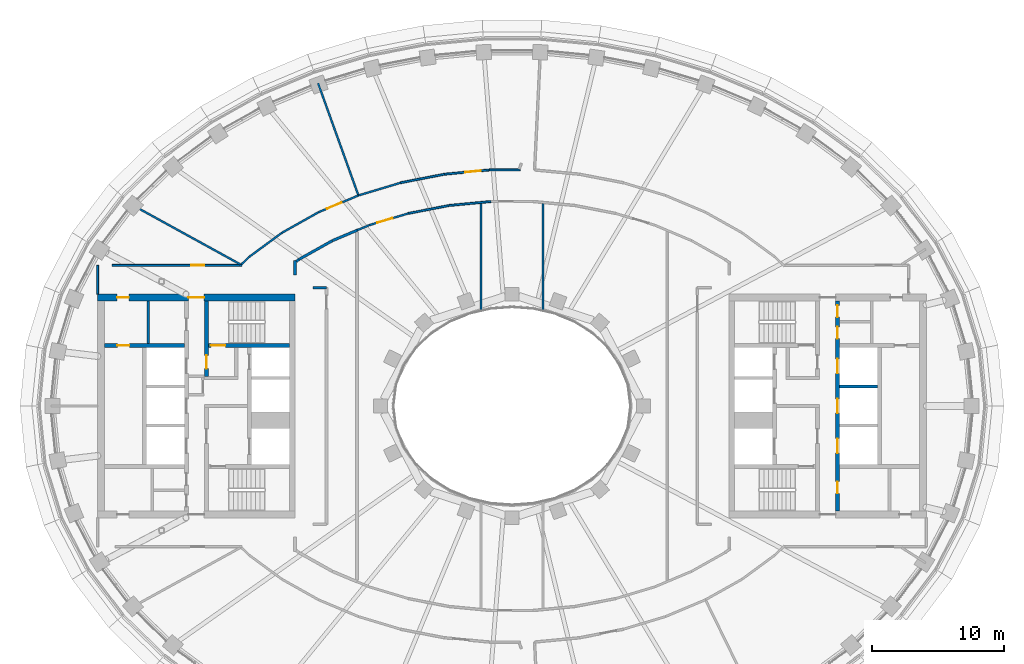
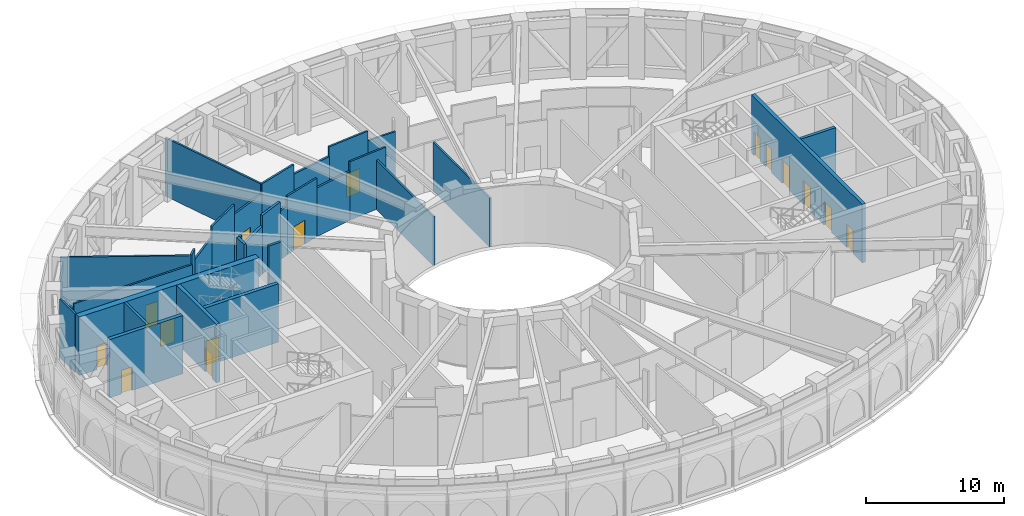
# One storey, part 8 of 25: 30 walls, 15 doors, 15 openings.
"""IFC4 building model written with IfcOpenShell, lengths in metres."""

from ifc_helpers import new_model, si_unit, direction, frame, frame_2d, origin, place, context, subcontext, project, spatial, rectangle, extrude, material, layer, layer_set, type_object, element, fill, save


model = new_model("IFC4")

# Units and contexts
model_context = context("Model", 3, precision=1e-05, world=origin(), true_north=direction((0.0, 1.0)))
body_context = subcontext(model_context, "Body", "Model", "MODEL_VIEW")
ifc_project = project(units=[si_unit("LENGTHUNIT", "METRE"), si_unit("AREAUNIT", "SQUARE_METRE"), si_unit("VOLUMEUNIT", "CUBIC_METRE"), si_unit("PLANEANGLEUNIT", "RADIAN"), si_unit("MASSUNIT", "GRAM", prefix="KILO")], contexts=[model_context])

# Site, building, storey
site_placement = place(None, origin())
site = spatial("IfcSite", under=ifc_project, at=site_placement, CompositionType="ELEMENT")
building_placement = place(site_placement, origin())
building = spatial("IfcBuilding", under=site, at=building_placement, Name="Noorbagh Ring Tower", CompositionType="ELEMENT")
storey_placement = place(building_placement, frame((0.0, 0.0, 198.0)))
storey = spatial("IfcBuildingStorey", under=building, at=storey_placement, Name="L46", CompositionType="ELEMENT", Elevation=198.0)

# Wall
ifc_material_1 = material(Name="Gypsum board on steel studs", Category="steel")
ifc_layer_1 = layer(ifc_material_1, 0.14990234375)
ifc_layer_set_1 = layer_set([ifc_layer_1], Name="Gypsum board on steel studs")
wall_type_1 = type_object("IfcWallType", Name="COMPARTMENT PARTITION 150 EI 60", PredefinedType="PARTITIONING", material=ifc_layer_set_1)
wall_1_placement = place(storey_placement, frame((-31.5, 8.5, 0.0), z_axis=(0.0, 0.0, 1.0), x_axis=(0.0, 1.0, 0.0)))
element("IfcWall", 1, at=wall_1_placement, inside=storey, type_object=wall_type_1, Name="L46/wall/P04", PredefinedType="PARTITIONING", context=body_context, shape_type="SweptSolid", body=[
    extrude(rectangle(XDim=2.199951171875, YDim=0.14990234375, at=frame_2d((1.10009765625, 0.0))), origin(), (0.0, 0.0, 1.0), 5.14990234375),
])

# Wall, opening, door
wall_2_placement = place(storey_placement, frame((-30.39697265625, 10.699951171875, 0.0), z_axis=(0.0, 0.0, 1.0), x_axis=(1.0, 0.0, 0.0)))
wall_2 = element("IfcWall", 2, at=wall_2_placement, inside=storey, type_object=wall_type_1, Name="L46/wall/P05", PredefinedType="PARTITIONING", context=body_context, shape_type="SweptSolid", body=[
    extrude(rectangle(XDim=9.866943359375, YDim=0.14990234375, at=frame_2d((4.93359375, 0.0))), origin(), (0.0, 0.0, 1.0), 4.35009765625),
])
opening_1_placement = place(wall_2_placement, frame((5.9970703125, 0.0, 0.0)))
opening_1 = element("IfcOpeningElement", 3, at=opening_1_placement, cuts=wall_2, Name="Opening D6", PredefinedType="OPENING", context=body_context, shape_type="SweptSolid", body=[
    extrude(rectangle(XDim=1.0, YDim=2.10009765625, at=frame_2d((0.5, 1.050048828125))), frame((0.0, 0.0849609375, 0.0), z_axis=(0.0, -1.0, 0.0), x_axis=(1.0, 0.0, 0.0)), (0.0, 0.0, 1.0), 0.169921875),
])
ifc_material_2 = material(Name="Timber, painted", Category="wood")
door_type_1 = type_object("IfcDoorType", Name="DOOR 1000 X 2100 FD60", OperationType="SINGLE_SWING_LEFT", PredefinedType="DOOR", material=ifc_material_2)
door_1_placement = place(opening_1_placement, origin())
door_1 = element("IfcDoor", 4, at=door_1_placement, inside=storey, type_object=door_type_1, Name="L46-D02", OperationType="SINGLE_SWING_LEFT", OverallHeight=2.10009765625, OverallWidth=1.0, PredefinedType="DOOR", context=body_context, shape_type="SweptSolid", body=[
    extrude(rectangle(XDim=1.0, YDim=2.10009765625, at=frame_2d((0.5, 1.050048828125))), frame((0.0, 0.02490234375, 0.0), z_axis=(0.0, -1.0, 0.0), x_axis=(1.0, 0.0, 0.0)), (0.0, 0.0, 1.0), 0.050048828125),
])
fill(opening_1, door_1)

# Walls
wall_3_placement = place(storey_placement, frame((-28.89306640625, 15.297119140625, 0.0), z_axis=(0.0, 0.0, 1.0), x_axis=(0.876381760949, -0.481617077227, 0.0)))
element("IfcWall", 5, at=wall_3_placement, inside=storey, type_object=wall_type_1, Name="L46/wall/P07", PredefinedType="PARTITIONING", context=body_context, shape_type="SweptSolid", body=[
    extrude(rectangle(XDim=9.383056640625, YDim=0.14990234375, at=frame_2d((4.69140625, 0.0))), origin(), (0.0, 0.0, 1.0), 5.14990234375),
])
wall_4_placement = place(storey_placement, frame((-20.56103515625, 10.77490234375, 0.0), z_axis=(0.0, 0.0, 1.0), x_axis=(0.717045449997, 0.697026414591, 0.0)))
element("IfcWall", 6, at=wall_4_placement, inside=storey, type_object=wall_type_1, Name="L46/wall/P09", PredefinedType="PARTITIONING", context=body_context, shape_type="SweptSolid", body=[
    extrude(rectangle(XDim=0.804931640625, YDim=0.14990234375, at=frame_2d((0.40234375, 0.0))), origin(), (0.0, 0.0, 1.0), 5.14990234375),
])
wall_5_placement = place(storey_placement, frame((-19.98388671875, 11.3359375, 0.0), z_axis=(0.0, 0.0, 1.0), x_axis=(0.805191029373, 0.593015519373, 0.0)))
element("IfcWall", 7, at=wall_5_placement, inside=storey, type_object=wall_type_1, Name="L46/wall/P11", PredefinedType="PARTITIONING", context=body_context, shape_type="SweptSolid", body=[
    extrude(rectangle(XDim=3.0859375, YDim=0.14990234375, at=frame_2d((1.54296875, 0.0))), origin(), (0.0, 0.0, 1.0), 4.199951171875),
])
wall_6_placement = place(storey_placement, frame((-17.4990234375, 13.166015625, 0.0), z_axis=(0.0, 0.0, 1.0), x_axis=(0.872039782413, 0.489434998635, 0.0)))
element("IfcWall", 8, at=wall_6_placement, inside=storey, type_object=wall_type_1, Name="L46/wall/P13", PredefinedType="PARTITIONING", context=body_context, shape_type="SweptSolid", body=[
    extrude(rectangle(XDim=3.199462890625, YDim=0.14990234375, at=frame_2d((1.599609375, 0.0))), origin(), (0.0, 0.0, 1.0), 5.14990234375),
])
wall_7_placement = place(storey_placement, frame((-14.742919921875, 24.534912109375, 0.0), z_axis=(0.0, 0.0, 1.0), x_axis=(0.338360587152, -0.941016531769, 0.0)))
element("IfcWall", 9, at=wall_7_placement, inside=storey, type_object=wall_type_1, Name="L46/wall/P22", PredefinedType="PARTITIONING", context=body_context, shape_type="SweptSolid", body=[
    extrude(rectangle(XDim=9.05810546875, YDim=0.14990234375, at=frame_2d((4.529052734375, 0.0))), origin(), (0.0, 0.0, 1.0), 5.14990234375),
])

# Wall, opening, door
wall_8_placement = place(storey_placement, frame((-14.708984375, 14.73193359375, 0.0), z_axis=(0.0, 0.0, 1.0), x_axis=(0.921846082319, 0.387556190137, 0.0)))
wall_8 = element("IfcWall", 10, at=wall_8_placement, inside=storey, type_object=wall_type_1, Name="L46/wall/P24", PredefinedType="PARTITIONING", context=body_context, shape_type="SweptSolid", body=[
    extrude(rectangle(XDim=3.26953125, YDim=0.14990234375, at=frame_2d((1.634765625, 0.0))), origin(), (0.0, 0.0, 1.0), 4.300048828125),
])
opening_2_placement = place(wall_8_placement, frame((0.689208984375, 0.0, 0.0)))
opening_2 = element("IfcOpeningElement", 11, at=opening_2_placement, cuts=wall_8, Name="Opening D7", PredefinedType="OPENING", context=body_context, shape_type="SweptSolid", body=[
    extrude(rectangle(XDim=1.199951171875, YDim=2.10009765625, at=frame_2d((0.60009765625, 1.050048828125))), frame((0.0, 0.0849609375, 0.0), z_axis=(0.0, -1.0, 0.0), x_axis=(1.0, 0.0, 0.0)), (0.0, 0.0, 1.0), 0.169921875),
])
ifc_material_3 = material(Name="Timber, painted", Category="wood")
door_type_2 = type_object("IfcDoorType", Name="DOOR 1200 X 2100 FD60", OperationType="SINGLE_SWING_LEFT", PredefinedType="DOOR", material=ifc_material_3)
door_2_placement = place(opening_2_placement, origin())
door_2 = element("IfcDoor", 12, at=door_2_placement, inside=storey, type_object=door_type_2, Name="L46-D04", OperationType="SINGLE_SWING_RIGHT", OverallHeight=2.10009765625, OverallWidth=1.199951171875, PredefinedType="DOOR", context=body_context, shape_type="SweptSolid", body=[
    extrude(rectangle(XDim=1.199951171875, YDim=2.10009765625, at=frame_2d((0.60009765625, 1.050048828125))), frame((0.0, 0.02490234375, 0.0), z_axis=(0.0, -1.0, 0.0), x_axis=(1.0, 0.0, 0.0)), (0.0, 0.0, 1.0), 0.050048828125),
])
fill(opening_2, door_2)

# Walls
wall_9_placement = place(storey_placement, frame((-11.76806640625, 13.364990234375, 0.0), z_axis=(0.0, 0.0, 1.0), x_axis=(0.921827385825, 0.387600658852, 0.0)))
element("IfcWall", 13, at=wall_9_placement, inside=storey, type_object=wall_type_1, Name="L46/wall/P30", PredefinedType="PARTITIONING", context=body_context, shape_type="SweptSolid", body=[
    extrude(rectangle(XDim=0.980712890625, YDim=0.14990234375, at=frame_2d((0.490234375, 0.0))), origin(), (0.0, 0.0, 1.0), 4.300048828125),
])
wall_10_placement = place(storey_placement, frame((-11.677001953125, 16.007080078125, 0.0), z_axis=(0.0, 0.0, 1.0), x_axis=(0.957565546192, 0.28821558727, 0.0)))
element("IfcWall", 14, at=wall_10_placement, inside=storey, type_object=wall_type_1, Name="L46/wall/P32", PredefinedType="PARTITIONING", context=body_context, shape_type="SweptSolid", body=[
    extrude(rectangle(XDim=3.355224609375, YDim=0.14990234375, at=frame_2d((1.677734375, 0.0))), origin(), (0.0, 0.0, 1.0), 5.14990234375),
])

# Wall, opening, door
wall_11_placement = place(storey_placement, frame((-10.864013671875, 13.7451171875, 0.0), z_axis=(0.0, 0.0, 1.0), x_axis=(0.957544770641, 0.28828460281, 0.0)))
wall_11 = element("IfcWall", 15, at=wall_11_placement, inside=storey, type_object=wall_type_1, Name="L46/wall/P34", PredefinedType="PARTITIONING", context=body_context, shape_type="SweptSolid", body=[
    extrude(rectangle(XDim=3.10791015625, YDim=0.14990234375, at=frame_2d((1.553955078125, 0.0))), origin(), (0.0, 0.0, 1.0), 5.14990234375),
])
opening_3_placement = place(wall_11_placement, frame((0.64990234375, 0.0, 0.0)))
opening_3 = element("IfcOpeningElement", 16, at=opening_3_placement, cuts=wall_11, Name="Opening D7", PredefinedType="OPENING", context=body_context, shape_type="SweptSolid", body=[
    extrude(rectangle(XDim=1.199951171875, YDim=2.10009765625, at=frame_2d((0.60009765625, 1.050048828125))), frame((0.0, 0.0849609375, 0.0), z_axis=(0.0, -1.0, 0.0), x_axis=(1.0, 0.0, 0.0)), (0.0, 0.0, 1.0), 0.169921875),
])
door_3_placement = place(opening_3_placement, origin())
door_3 = element("IfcDoor", 17, at=door_3_placement, inside=storey, type_object=door_type_2, Name="L46-D11", OperationType="SINGLE_SWING_LEFT", OverallHeight=2.10009765625, OverallWidth=1.199951171875, PredefinedType="DOOR", context=body_context, shape_type="SweptSolid", body=[
    extrude(rectangle(XDim=1.199951171875, YDim=2.10009765625, at=frame_2d((0.60009765625, 1.050048828125))), frame((0.0, 0.02490234375, 0.0), z_axis=(0.0, -1.0, 0.0), x_axis=(1.0, 0.0, 0.0)), (0.0, 0.0, 1.0), 0.050048828125),
])
fill(opening_3, door_3)

# Walls
wall_12_placement = place(storey_placement, frame((-8.464111328125, 16.97412109375, 0.0), z_axis=(0.0, 0.0, 1.0), x_axis=(0.981613520879, 0.190879269771, 0.0)))
element("IfcWall", 18, at=wall_12_placement, inside=storey, type_object=wall_type_1, Name="L46/wall/P36", PredefinedType="PARTITIONING", context=body_context, shape_type="SweptSolid", body=[
    extrude(rectangle(XDim=3.399658203125, YDim=0.14990234375, at=frame_2d((1.69970703125, 0.0))), origin(), (0.0, 0.0, 1.0), 4.300048828125),
])
wall_13_placement = place(storey_placement, frame((-7.887939453125, 14.64111328125, 0.0), z_axis=(0.0, 0.0, 1.0), x_axis=(0.981672390077, 0.190576280162, 0.0)))
element("IfcWall", 19, at=wall_13_placement, inside=storey, type_object=wall_type_1, Name="L46/wall/P38", PredefinedType="PARTITIONING", context=body_context, shape_type="SweptSolid", body=[
    extrude(rectangle(XDim=3.162841796875, YDim=0.14990234375, at=frame_2d((1.58154296875, 0.0))), origin(), (0.0, 0.0, 1.0), 4.300048828125),
])

# Wall, opening, door
wall_14_placement = place(storey_placement, frame((-5.126953125, 17.623046875, 0.0), z_axis=(0.0, 0.0, 1.0), x_axis=(0.995490025265, 0.094866272186, 0.0)))
wall_14 = element("IfcWall", 20, at=wall_14_placement, inside=storey, type_object=wall_type_1, Name="L46/wall/P40", PredefinedType="PARTITIONING", context=body_context, shape_type="SweptSolid", body=[
    extrude(rectangle(XDim=3.42529296875, YDim=0.14990234375, at=frame_2d((1.712646484375, 0.0))), origin(), (0.0, 0.0, 1.0), 5.14990234375),
])
opening_4_placement = place(wall_14_placement, frame((1.575439453125, 0.0, 0.0)))
opening_4 = element("IfcOpeningElement", 21, at=opening_4_placement, cuts=wall_14, Name="Opening D7", PredefinedType="OPENING", context=body_context, shape_type="SweptSolid", body=[
    extrude(rectangle(XDim=1.199951171875, YDim=2.10009765625, at=frame_2d((0.60009765625, 1.050048828125))), frame((0.0, 0.0849609375, 0.0), z_axis=(0.0, -1.0, 0.0), x_axis=(1.0, 0.0, 0.0)), (0.0, 0.0, 1.0), 0.169921875),
])
door_4_placement = place(opening_4_placement, origin())
door_4 = element("IfcDoor", 22, at=door_4_placement, inside=storey, type_object=door_type_2, Name="L46-D05", OperationType="SINGLE_SWING_LEFT", OverallHeight=2.10009765625, OverallWidth=1.199951171875, PredefinedType="DOOR", context=body_context, shape_type="SweptSolid", body=[
    extrude(rectangle(XDim=1.199951171875, YDim=2.10009765625, at=frame_2d((0.60009765625, 1.050048828125))), frame((0.0, 0.02490234375, 0.0), z_axis=(0.0, -1.0, 0.0), x_axis=(1.0, 0.0, 0.0)), (0.0, 0.0, 1.0), 0.050048828125),
])
fill(opening_4, door_4)

# Walls
wall_15_placement = place(storey_placement, frame((-4.782958984375, 15.243896484375, 0.0), z_axis=(0.0, 0.0, 1.0), x_axis=(0.995455539839, 0.095227455097, 0.0)))
element("IfcWall", 23, at=wall_15_placement, inside=storey, type_object=wall_type_1, Name="L46/wall/P42", PredefinedType="PARTITIONING", context=body_context, shape_type="SweptSolid", body=[
    extrude(rectangle(XDim=3.1943359375, YDim=0.14990234375, at=frame_2d((1.59716796875, 0.0))), origin(), (0.0, 0.0, 1.0), 5.14990234375),
])
wall_16_placement = place(storey_placement, frame((-2.35693359375, 7.2099609375, 0.0), z_axis=(0.0, 0.0, 1.0), x_axis=(0.0, 1.0, 0.0)))
element("IfcWall", 24, at=wall_16_placement, inside=storey, type_object=wall_type_1, Name="L46/wall/P44", PredefinedType="PARTITIONING", context=body_context, shape_type="SweptSolid", body=[
    extrude(rectangle(XDim=8.18701171875, YDim=0.14990234375, at=frame_2d((4.093505859375, 0.0))), origin(), (0.0, 0.0, 1.0), 4.35009765625),
])
wall_17_placement = place(storey_placement, frame((-1.717041015625, 17.947998046875, 0.0), z_axis=(0.0, 0.0, 1.0), x_axis=(1.0, 0.0, 0.0)))
element("IfcWall", 25, at=wall_17_placement, inside=storey, type_object=wall_type_1, Name="L46/wall/P46", PredefinedType="PARTITIONING", context=body_context, shape_type="SweptSolid", body=[
    extrude(rectangle(XDim=2.330078125, YDim=0.14990234375, at=frame_2d((1.1650390625, 0.0))), origin(), (0.0, 0.0, 1.0), 4.300048828125),
])
wall_18_placement = place(storey_placement, frame((2.35693359375, 7.2099609375, 0.0), z_axis=(0.0, 0.0, 1.0), x_axis=(0.0, 1.0, 0.0)))
element("IfcWall", 26, at=wall_18_placement, inside=storey, type_object=wall_type_1, Name="L46/wall/P58", PredefinedType="PARTITIONING", context=body_context, shape_type="SweptSolid", body=[
    extrude(rectangle(XDim=8.18701171875, YDim=0.14990234375, at=frame_2d((4.093505859375, 0.0))), origin(), (0.0, 0.0, 1.0), 4.300048828125),
])
ifc_material_4 = material(Name="Gypsum board on steel studs", Category="steel")
ifc_layer_2 = layer(ifc_material_4, 0.199951171875)
ifc_layer_set_2 = layer_set([ifc_layer_2], Name="Gypsum board on steel studs")
wall_type_2 = type_object("IfcWallType", Name="CORE-PARTITION-200", PredefinedType="PARTITIONING", material=ifc_layer_set_2)
wall_19_placement = place(storey_placement, frame((-27.64990234375, 4.75, 0.0), z_axis=(0.0, 0.0, 1.0), x_axis=(0.0, 1.0, 0.0)))
element("IfcWall", 27, at=wall_19_placement, inside=storey, type_object=wall_type_2, Name="Core partition W", PredefinedType="PARTITIONING", context=body_context, shape_type="SweptSolid", body=[
    extrude(rectangle(XDim=3.25, YDim=0.199951171875, at=frame_2d((1.625, 0.0))), origin(), (0.0, 0.0, 1.0), 5.14990234375),
])
ifc_material_5 = material(Name="Concrete C60/75", Category="concrete")
ifc_layer_3 = layer(ifc_material_5, 0.25)
ifc_layer_set_3 = layer_set([ifc_layer_3], Name="Concrete C60/75")
wall_type_3 = type_object("IfcWallType", Name="CORE-WALL-250-C60-75-EI120", PredefinedType="SHEAR", material=ifc_layer_set_3)
wall_20_placement = place(storey_placement, frame((24.89990234375, 1.47509765625, 0.0), z_axis=(0.0, 0.0, 1.0), x_axis=(1.0, 0.0, 0.0)))
element("IfcWall", 28, at=wall_20_placement, inside=storey, type_object=wall_type_3, Name="Core wall E", PredefinedType="SHEAR", context=body_context, shape_type="SweptSolid", body=[
    extrude(rectangle(XDim=2.900146484375, YDim=0.25, at=frame_2d((1.4501953125, 0.0))), origin(), (0.0, 0.0, 1.0), 5.14990234375),
])

# Wall, openings, doors
ifc_material_6 = material(Name="Concrete C60/75", Category="concrete")
ifc_layer_4 = layer(ifc_material_6, 0.300048828125)
ifc_layer_set_4 = layer_set([ifc_layer_4], Name="Concrete C60/75")
wall_type_4 = type_object("IfcWallType", Name="CORE-WALL-300-C60-75-EI120", PredefinedType="SHEAR", material=ifc_layer_set_4)
wall_21_placement = place(storey_placement, frame((24.75, -8.0, 0.0), z_axis=(0.0, 0.0, 1.0), x_axis=(0.0, 1.0, 0.0)))
wall_21 = element("IfcWall", 29, at=wall_21_placement, inside=storey, type_object=wall_type_4, Name="Core wall E", PredefinedType="SHEAR", context=body_context, shape_type="SweptSolid", body=[
    extrude(rectangle(XDim=16.0, YDim=0.300048828125, at=frame_2d((8.0, 0.0))), origin(), (0.0, 0.0, 1.0), 5.14990234375),
])
opening_5_placement = place(wall_21_placement, frame((4.425048828125, 0.0, 0.0)))
opening_5 = element("IfcOpeningElement", 30, at=opening_5_placement, cuts=wall_21, Name="Opening L46-CE04", PredefinedType="OPENING", context=body_context, shape_type="SweptSolid", body=[
    extrude(rectangle(XDim=1.10009765625, YDim=2.10009765625, at=frame_2d((0.550048828125, 1.050048828125))), frame((0.0, 0.16015625, 0.0), z_axis=(0.0, -1.0, 0.0), x_axis=(1.0, 0.0, 0.0)), (0.0, 0.0, 1.0), 0.320068359375),
])
opening_6_placement = place(wall_21_placement, frame((7.449951171875, 0.0, 0.0)))
opening_6 = element("IfcOpeningElement", 31, at=opening_6_placement, cuts=wall_21, Name="Opening L46-CE05", PredefinedType="OPENING", context=body_context, shape_type="SweptSolid", body=[
    extrude(rectangle(XDim=1.10009765625, YDim=2.10009765625, at=frame_2d((0.550048828125, 1.050048828125))), frame((0.0, 0.16015625, 0.0), z_axis=(0.0, -1.0, 0.0), x_axis=(1.0, 0.0, 0.0)), (0.0, 0.0, 1.0), 0.320068359375),
])
opening_7_placement = place(wall_21_placement, frame((10.47509765625, 0.0, 0.0)))
opening_7 = element("IfcOpeningElement", 32, at=opening_7_placement, cuts=wall_21, Name="Opening L46-CE06", PredefinedType="OPENING", context=body_context, shape_type="SweptSolid", body=[
    extrude(rectangle(XDim=1.10009765625, YDim=2.10009765625, at=frame_2d((0.550048828125, 1.050048828125))), frame((0.0, 0.16015625, 0.0), z_axis=(0.0, -1.0, 0.0), x_axis=(1.0, 0.0, 0.0)), (0.0, 0.0, 1.0), 0.320068359375),
])
opening_8_placement = place(wall_21_placement, frame((13.125, 0.0, 0.0)))
opening_8 = element("IfcOpeningElement", 33, at=opening_8_placement, cuts=wall_21, Name="Opening L46-CE13", PredefinedType="OPENING", context=body_context, shape_type="SweptSolid", body=[
    extrude(rectangle(XDim=0.89990234375, YDim=2.10009765625, at=frame_2d((0.449951171875, 1.050048828125))), frame((0.0, 0.16015625, 0.0), z_axis=(0.0, -1.0, 0.0), x_axis=(1.0, 0.0, 0.0)), (0.0, 0.0, 1.0), 0.320068359375),
])
opening_9_placement = place(wall_21_placement, frame((14.75, 0.0, 0.0)))
opening_9 = element("IfcOpeningElement", 34, at=opening_9_placement, cuts=wall_21, Name="Opening L46-CE14", PredefinedType="OPENING", context=body_context, shape_type="SweptSolid", body=[
    extrude(rectangle(XDim=0.89990234375, YDim=2.10009765625, at=frame_2d((0.449951171875, 1.050048828125))), frame((0.0, 0.16015625, 0.0), z_axis=(0.0, -1.0, 0.0), x_axis=(1.0, 0.0, 0.0)), (0.0, 0.0, 1.0), 0.320068359375),
])
opening_10_placement = place(wall_21_placement, frame((1.35009765625, 0.0, 0.0)))
opening_10 = element("IfcOpeningElement", 35, at=opening_10_placement, cuts=wall_21, Name="Opening L46-CE16", PredefinedType="OPENING", context=body_context, shape_type="SweptSolid", body=[
    extrude(rectangle(XDim=0.89990234375, YDim=2.10009765625, at=frame_2d((0.449951171875, 1.050048828125))), frame((0.0, 0.16015625, 0.0), z_axis=(0.0, -1.0, 0.0), x_axis=(1.0, 0.0, 0.0)), (0.0, 0.0, 1.0), 0.320068359375),
])
ifc_material_7 = material(Name="Steel door leaf", Category="steel")
door_type_3 = type_object("IfcDoorType", Name="CORE-DOOR-DROOM", OperationType="SINGLE_SWING_LEFT", PredefinedType="DOOR", material=ifc_material_7)
door_5_placement = place(opening_8_placement, origin())
door_5 = element("IfcDoor", 36, at=door_5_placement, inside=storey, type_object=door_type_3, Name="Core room door L46-CE13", OperationType="SINGLE_SWING_RIGHT", OverallHeight=2.10009765625, OverallWidth=0.89990234375, PredefinedType="DOOR", context=body_context, shape_type="SweptSolid", body=[
    extrude(rectangle(XDim=0.89990234375, YDim=2.10009765625, at=frame_2d((0.449951171875, 1.050048828125))), frame((0.0, 0.02490234375, 0.0), z_axis=(0.0, -1.0, 0.0), x_axis=(1.0, 0.0, 0.0)), (0.0, 0.0, 1.0), 0.050048828125),
])
fill(opening_8, door_5)
door_6_placement = place(opening_9_placement, origin())
door_6 = element("IfcDoor", 37, at=door_6_placement, inside=storey, type_object=door_type_3, Name="Core room door L46-CE14", OperationType="SINGLE_SWING_LEFT", OverallHeight=2.10009765625, OverallWidth=0.89990234375, PredefinedType="DOOR", context=body_context, shape_type="SweptSolid", body=[
    extrude(rectangle(XDim=0.89990234375, YDim=2.10009765625, at=frame_2d((0.449951171875, 1.050048828125))), frame((0.0, 0.02490234375, 0.0), z_axis=(0.0, -1.0, 0.0), x_axis=(1.0, 0.0, 0.0)), (0.0, 0.0, 1.0), 0.050048828125),
])
fill(opening_9, door_6)
door_7_placement = place(opening_10_placement, origin())
door_7 = element("IfcDoor", 38, at=door_7_placement, inside=storey, type_object=door_type_3, Name="Core room door L46-CE16", OperationType="SINGLE_SWING_RIGHT", OverallHeight=2.10009765625, OverallWidth=0.89990234375, PredefinedType="DOOR", context=body_context, shape_type="SweptSolid", body=[
    extrude(rectangle(XDim=0.89990234375, YDim=2.10009765625, at=frame_2d((0.449951171875, 1.050048828125))), frame((0.0, 0.02490234375, 0.0), z_axis=(0.0, -1.0, 0.0), x_axis=(1.0, 0.0, 0.0)), (0.0, 0.0, 1.0), 0.050048828125),
])
fill(opening_10, door_7)
ifc_material_8 = material(Name="Steel door leaf", Category="steel")
door_type_4 = type_object("IfcDoorType", Name="CORE-DOOR-LD", OperationType="DOUBLE_DOOR_SLIDING", PredefinedType="DOOR", material=ifc_material_8)
door_8_placement = place(opening_5_placement, origin())
door_8 = element("IfcDoor", 39, at=door_8_placement, inside=storey, type_object=door_type_4, Name="Landing door HR9 L46-CE04", OperationType="DOUBLE_DOOR_SLIDING", OverallHeight=2.10009765625, OverallWidth=1.10009765625, PredefinedType="DOOR", context=body_context, shape_type="SweptSolid", body=[
    extrude(rectangle(XDim=1.10009765625, YDim=2.10009765625, at=frame_2d((0.550048828125, 1.050048828125))), frame((0.0, 0.02490234375, 0.0), z_axis=(0.0, -1.0, 0.0), x_axis=(1.0, 0.0, 0.0)), (0.0, 0.0, 1.0), 0.050048828125),
])
fill(opening_5, door_8)
door_9_placement = place(opening_6_placement, origin())
door_9 = element("IfcDoor", 40, at=door_9_placement, inside=storey, type_object=door_type_4, Name="Landing door HR10 L46-CE05", OperationType="DOUBLE_DOOR_SLIDING", OverallHeight=2.10009765625, OverallWidth=1.10009765625, PredefinedType="DOOR", context=body_context, shape_type="SweptSolid", body=[
    extrude(rectangle(XDim=1.10009765625, YDim=2.10009765625, at=frame_2d((0.550048828125, 1.050048828125))), frame((0.0, 0.02490234375, 0.0), z_axis=(0.0, -1.0, 0.0), x_axis=(1.0, 0.0, 0.0)), (0.0, 0.0, 1.0), 0.050048828125),
])
fill(opening_6, door_9)
door_10_placement = place(opening_7_placement, origin())
door_10 = element("IfcDoor", 41, at=door_10_placement, inside=storey, type_object=door_type_4, Name="Landing door HR11 L46-CE06", OperationType="DOUBLE_DOOR_SLIDING", OverallHeight=2.10009765625, OverallWidth=1.10009765625, PredefinedType="DOOR", context=body_context, shape_type="SweptSolid", body=[
    extrude(rectangle(XDim=1.10009765625, YDim=2.10009765625, at=frame_2d((0.550048828125, 1.050048828125))), frame((0.0, 0.02490234375, 0.0), z_axis=(0.0, -1.0, 0.0), x_axis=(1.0, 0.0, 0.0)), (0.0, 0.0, 1.0), 0.050048828125),
])
fill(opening_7, door_10)

# Wall, opening, door
ifc_material_9 = material(Name="Concrete C60/75", Category="concrete")
ifc_layer_5 = layer(ifc_material_9, 0.300048828125)
ifc_layer_set_5 = layer_set([ifc_layer_5], Name="Concrete C60/75")
wall_type_5 = type_object("IfcWallType", Name="CORE-WALL-300-C60-75-EI240", PredefinedType="SHEAR", material=ifc_layer_set_5)
wall_22_placement = place(storey_placement, frame((-24.89990234375, 4.60009765625, 0.0), z_axis=(0.0, 0.0, 1.0), x_axis=(-1.0, 0.0, 0.0)))
wall_22 = element("IfcWall", 42, at=wall_22_placement, inside=storey, type_object=wall_type_5, Name="Core wall W", PredefinedType="SHEAR", context=body_context, shape_type="SweptSolid", body=[
    extrude(rectangle(XDim=6.10009765625, YDim=0.300048828125, at=frame_2d((3.050048828125, 0.0))), origin(), (0.0, 0.0, 1.0), 5.14990234375),
])
opening_11_placement = place(wall_22_placement, frame((4.199951171875, 0.0, 0.0)))
opening_11 = element("IfcOpeningElement", 43, at=opening_11_placement, cuts=wall_22, Name="Opening L46-CW18", PredefinedType="OPENING", context=body_context, shape_type="SweptSolid", body=[
    extrude(rectangle(XDim=0.89990234375, YDim=2.10009765625, at=frame_2d((0.449951171875, 1.050048828125))), frame((0.0, 0.16015625, 0.0), z_axis=(0.0, -1.0, 0.0), x_axis=(1.0, 0.0, 0.0)), (0.0, 0.0, 1.0), 0.320068359375),
])
door_11_placement = place(opening_11_placement, origin())
door_11 = element("IfcDoor", 44, at=door_11_placement, inside=storey, type_object=door_type_3, Name="Core room door L46-CW18", OperationType="SINGLE_SWING_LEFT", OverallHeight=2.10009765625, OverallWidth=0.89990234375, PredefinedType="DOOR", context=body_context, shape_type="SweptSolid", body=[
    extrude(rectangle(XDim=0.89990234375, YDim=2.10009765625, at=frame_2d((0.449951171875, 1.050048828125))), frame((0.0, 0.02490234375, 0.0), z_axis=(0.0, -1.0, 0.0), x_axis=(1.0, 0.0, 0.0)), (0.0, 0.0, 1.0), 0.050048828125),
])
fill(opening_11, door_11)

wall_23_placement = place(storey_placement, frame((-23.22998046875, 2.25, 0.0), z_axis=(0.0, 0.0, 1.0), x_axis=(0.0, 1.0, 0.0)))
wall_23 = element("IfcWall", 45, at=wall_23_placement, inside=storey, type_object=wall_type_5, Name="Core wall W", PredefinedType="SHEAR", context=body_context, shape_type="SweptSolid", body=[
    extrude(rectangle(XDim=5.75, YDim=0.300048828125, at=frame_2d((2.875, 0.0))), origin(), (0.0, 0.0, 1.0), 5.14990234375),
])
opening_12_placement = place(wall_23_placement, frame((0.60009765625, 0.0, 0.0)))
opening_12 = element("IfcOpeningElement", 46, at=opening_12_placement, cuts=wall_23, Name="Opening L46-CW09", PredefinedType="OPENING", context=body_context, shape_type="SweptSolid", body=[
    extrude(rectangle(XDim=1.0, YDim=2.10009765625, at=frame_2d((0.5, 1.050048828125))), frame((0.0, 0.16015625, 0.0), z_axis=(0.0, -1.0, 0.0), x_axis=(1.0, 0.0, 0.0)), (0.0, 0.0, 1.0), 0.320068359375),
])
ifc_material_10 = material(Name="Steel door leaf", Category="steel")
door_type_5 = type_object("IfcDoorType", Name="CORE-DOOR-DVEST", OperationType="SINGLE_SWING_LEFT", PredefinedType="DOOR", material=ifc_material_10)
door_12_placement = place(opening_12_placement, origin())
door_12 = element("IfcDoor", 47, at=door_12_placement, inside=storey, type_object=door_type_5, Name="Stair vestibule door L46-CW09", OperationType="SINGLE_SWING_LEFT", OverallHeight=2.10009765625, OverallWidth=1.0, PredefinedType="DOOR", context=body_context, shape_type="SweptSolid", body=[
    extrude(rectangle(XDim=1.0, YDim=2.10009765625, at=frame_2d((0.5, 1.050048828125))), frame((0.0, 0.02490234375, 0.0), z_axis=(0.0, -1.0, 0.0), x_axis=(1.0, 0.0, 0.0)), (0.0, 0.0, 1.0), 0.050048828125),
])
fill(opening_12, door_12)

wall_24_placement = place(storey_placement, frame((-16.89990234375, 4.60009765625, 0.0), z_axis=(0.0, 0.0, 1.0), x_axis=(-1.0, 0.0, 0.0)))
wall_24 = element("IfcWall", 48, at=wall_24_placement, inside=storey, type_object=wall_type_5, Name="Core wall W", PredefinedType="SHEAR", context=body_context, shape_type="SweptSolid", body=[
    extrude(rectangle(XDim=6.18017578125, YDim=0.300048828125, at=frame_2d((3.090087890625, 0.0))), origin(), (0.0, 0.0, 1.0), 5.14990234375),
])
opening_13_placement = place(wall_24_placement, frame((4.89990234375, 0.0, 0.0)))
opening_13 = element("IfcOpeningElement", 49, at=opening_13_placement, cuts=wall_24, Name="Opening L46-CW06", PredefinedType="OPENING", context=body_context, shape_type="SweptSolid", body=[
    extrude(rectangle(XDim=1.10009765625, YDim=2.10009765625, at=frame_2d((0.550048828125, 1.050048828125))), frame((0.0, 0.16015625, 0.0), z_axis=(0.0, -1.0, 0.0), x_axis=(1.0, 0.0, 0.0)), (0.0, 0.0, 1.0), 0.320068359375),
])
ifc_material_11 = material(Name="Steel door leaf", Category="steel")
door_type_6 = type_object("IfcDoorType", Name="CORE-DOOR-DSTAIR", OperationType="SINGLE_SWING_LEFT", PredefinedType="DOOR", material=ifc_material_11)
door_13_placement = place(opening_13_placement, origin())
door_13 = element("IfcDoor", 50, at=door_13_placement, inside=storey, type_object=door_type_6, Name="Stair door ST1 L46-CW06", OperationType="SINGLE_SWING_RIGHT", OverallHeight=2.10009765625, OverallWidth=1.10009765625, PredefinedType="DOOR", context=body_context, shape_type="SweptSolid", body=[
    extrude(rectangle(XDim=1.10009765625, YDim=2.10009765625, at=frame_2d((0.550048828125, 1.050048828125))), frame((0.0, 0.02490234375, 0.0), z_axis=(0.0, -1.0, 0.0), x_axis=(1.0, 0.0, 0.0)), (0.0, 0.0, 1.0), 0.050048828125),
])
fill(opening_13, door_13)

# Wall, openings, doors
ifc_material_12 = material(Name="Concrete C60/75", Category="concrete")
ifc_layer_6 = layer(ifc_material_12, 0.5)
ifc_layer_set_6 = layer_set([ifc_layer_6], Name="Concrete C60/75")
wall_type_6 = type_object("IfcWallType", Name="CORE-WALL-500-C60-75-EI240", PredefinedType="SHEAR", material=ifc_layer_set_6)
wall_25_placement = place(storey_placement, frame((-16.5, 8.25, 0.0), z_axis=(0.0, 0.0, 1.0), x_axis=(-1.0, 0.0, 0.0)))
wall_25 = element("IfcWall", 51, at=wall_25_placement, inside=storey, type_object=wall_type_6, Name="Core wall W", PredefinedType="SHEAR", context=body_context, shape_type="SweptSolid", body=[
    extrude(rectangle(XDim=15.0, YDim=0.5, at=frame_2d((7.5, 0.0))), origin(), (0.0, 0.0, 1.0), 5.14990234375),
])
opening_14_placement = place(wall_25_placement, frame((6.89990234375, 0.0, 0.0)))
opening_14 = element("IfcOpeningElement", 52, at=opening_14_placement, cuts=wall_25, Name="Opening L46-CW10", PredefinedType="OPENING", context=body_context, shape_type="SweptSolid", body=[
    extrude(rectangle(XDim=1.199951171875, YDim=2.10009765625, at=frame_2d((0.60009765625, 1.050048828125))), frame((0.0, 0.260009765625, 0.0), z_axis=(0.0, -1.0, 0.0), x_axis=(1.0, 0.0, 0.0)), (0.0, 0.0, 1.0), 0.52001953125),
])
opening_15_placement = place(wall_25_placement, frame((12.6201171875, 0.0, 0.0)))
opening_15 = element("IfcOpeningElement", 53, at=opening_15_placement, cuts=wall_25, Name="Opening L46-CW13", PredefinedType="OPENING", context=body_context, shape_type="SweptSolid", body=[
    extrude(rectangle(XDim=0.89990234375, YDim=2.10009765625, at=frame_2d((0.449951171875, 1.050048828125))), frame((0.0, 0.260009765625, 0.0), z_axis=(0.0, -1.0, 0.0), x_axis=(1.0, 0.0, 0.0)), (0.0, 0.0, 1.0), 0.52001953125),
])
door_14_placement = place(opening_15_placement, origin())
door_14 = element("IfcDoor", 54, at=door_14_placement, inside=storey, type_object=door_type_3, Name="Core room door L46-CW13", OperationType="SINGLE_SWING_RIGHT", OverallHeight=2.10009765625, OverallWidth=0.89990234375, PredefinedType="DOOR", context=body_context, shape_type="SweptSolid", body=[
    extrude(rectangle(XDim=0.89990234375, YDim=2.10009765625, at=frame_2d((0.449951171875, 1.050048828125))), frame((0.0, 0.02490234375, 0.0), z_axis=(0.0, -1.0, 0.0), x_axis=(1.0, 0.0, 0.0)), (0.0, 0.0, 1.0), 0.050048828125),
])
fill(opening_15, door_14)
ifc_material_13 = material(Name="Steel door leaf", Category="steel")
door_type_7 = type_object("IfcDoorType", Name="CORE-DOOR-PORT", OperationType="DOUBLE_DOOR_DOUBLE_SWING", PredefinedType="DOOR", material=ifc_material_13)
door_15_placement = place(opening_14_placement, origin())
door_15 = element("IfcDoor", 55, at=door_15_placement, inside=storey, type_object=door_type_7, Name="Core entrance door L46-CW10", OperationType="DOUBLE_DOOR_DOUBLE_SWING", OverallHeight=2.10009765625, OverallWidth=1.199951171875, PredefinedType="DOOR", context=body_context, shape_type="SweptSolid", body=[
    extrude(rectangle(XDim=1.199951171875, YDim=2.10009765625, at=frame_2d((0.60009765625, 1.050048828125))), frame((0.0, 0.02490234375, 0.0), z_axis=(0.0, -1.0, 0.0), x_axis=(1.0, 0.0, 0.0)), (0.0, 0.0, 1.0), 0.050048828125),
])
fill(opening_14, door_15)

# Walls
ifc_material_14 = material(Name="Gypsum board on steel studs", Category="steel")
ifc_layer_7 = layer(ifc_material_14, 0.199951171875)
ifc_layer_set_7 = layer_set([ifc_layer_7], Name="Gypsum board on steel studs")
wall_type_7 = type_object("IfcWallType", Name="SHAFT PARTITION 200 EI 120", PredefinedType="PARTITIONING", material=ifc_layer_set_7)
wall_26_placement = place(storey_placement, frame((-16.5, 9.964111328125, 0.0), z_axis=(0.0, 0.0, 1.0), x_axis=(0.0, 1.0, 0.0)))
element("IfcWall", 56, at=wall_26_placement, inside=storey, type_object=wall_type_7, Name="L46/wall/P16", PredefinedType="PARTITIONING", context=body_context, shape_type="SweptSolid", body=[
    extrude(rectangle(XDim=1.080810546875, YDim=0.199951171875, at=frame_2d((0.54052734375, 0.0))), origin(), (0.0, 0.0, 1.0), 5.14990234375),
])
wall_27_placement = place(storey_placement, frame((-16.39990234375, 10.9951171875, 0.0), z_axis=(0.0, 0.0, 1.0), x_axis=(0.805152309286, 0.593068089558, 0.0)))
element("IfcWall", 57, at=wall_27_placement, inside=storey, type_object=wall_type_7, Name="L46/wall/P17", PredefinedType="PARTITIONING", context=body_context, shape_type="SweptSolid", body=[
    extrude(rectangle(XDim=0.25439453125, YDim=0.199951171875, at=frame_2d((0.127197265625, 0.0))), origin(), (0.0, 0.0, 1.0), 5.14990234375),
])
wall_28_placement = place(storey_placement, frame((-16.195068359375, 11.14599609375, 0.0), z_axis=(0.0, 0.0, 1.0), x_axis=(0.872138682379, 0.48925874412, 0.0)))
element("IfcWall", 58, at=wall_28_placement, inside=storey, type_object=wall_type_7, Name="L46/wall/P19", PredefinedType="PARTITIONING", context=body_context, shape_type="SweptSolid", body=[
    extrude(rectangle(XDim=2.91455078125, YDim=0.199951171875, at=frame_2d((1.457275390625, 0.0))), origin(), (0.0, 0.0, 1.0), 4.199951171875),
])
wall_29_placement = place(storey_placement, frame((-15.134033203125, 9.0, 0.0), z_axis=(0.0, 0.0, 1.0), x_axis=(1.0, 0.0, 0.0)))
element("IfcWall", 59, at=wall_29_placement, inside=storey, type_object=wall_type_7, Name="L46/wall/P21", PredefinedType="PARTITIONING", context=body_context, shape_type="SweptSolid", body=[
    extrude(rectangle(XDim=1.033935546875, YDim=0.199951171875, at=frame_2d((0.51708984375, 0.0))), origin(), (0.0, 0.0, 1.0), 5.14990234375),
])
wall_30_placement = place(storey_placement, frame((-13.653076171875, 12.572021484375, 0.0), z_axis=(0.0, 0.0, 1.0), x_axis=(0.921857058749, 0.387530080425, 0.0)))
element("IfcWall", 60, at=wall_30_placement, inside=storey, type_object=wall_type_7, Name="L46/wall/P27", PredefinedType="PARTITIONING", context=body_context, shape_type="SweptSolid", body=[
    extrude(rectangle(XDim=2.1337890625, YDim=0.199951171875, at=frame_2d((1.06689453125, 0.0))), origin(), (0.0, 0.0, 1.0), 5.14990234375),
])

save(model, "model.ifc")
